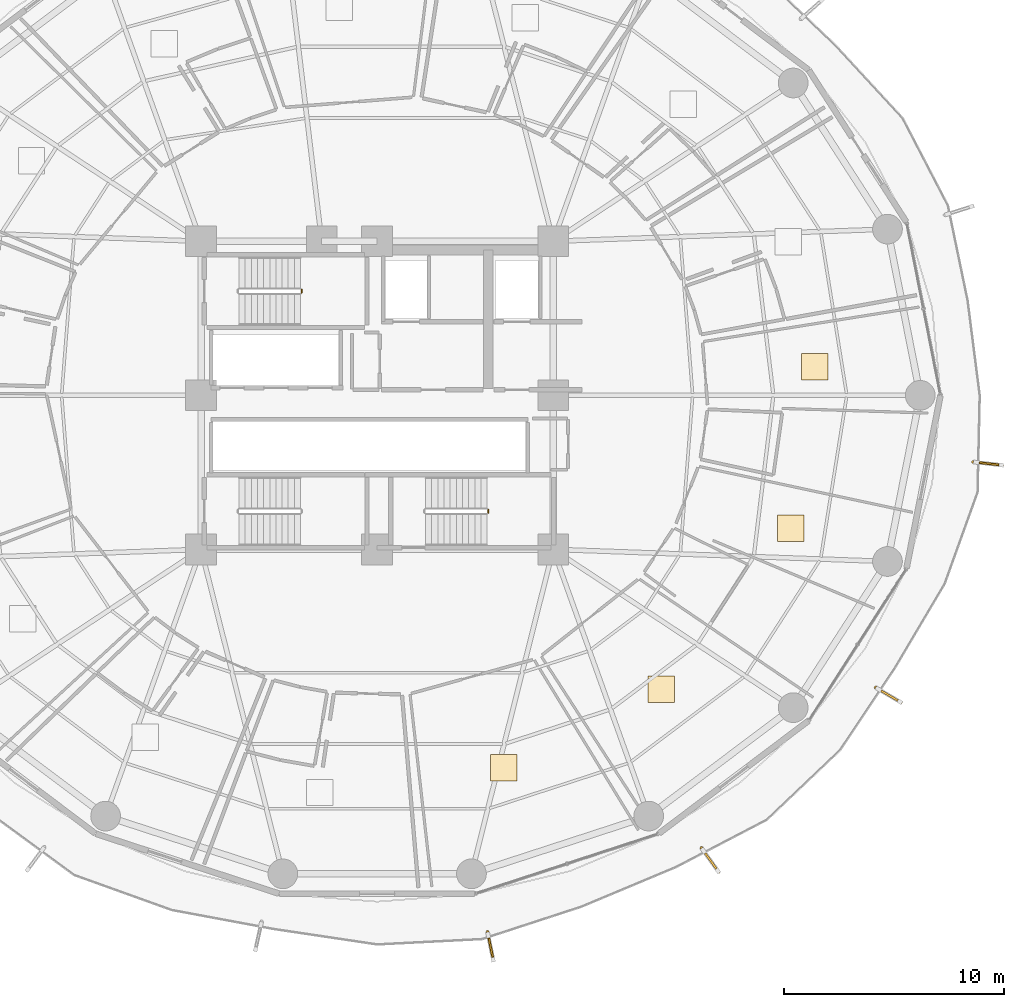
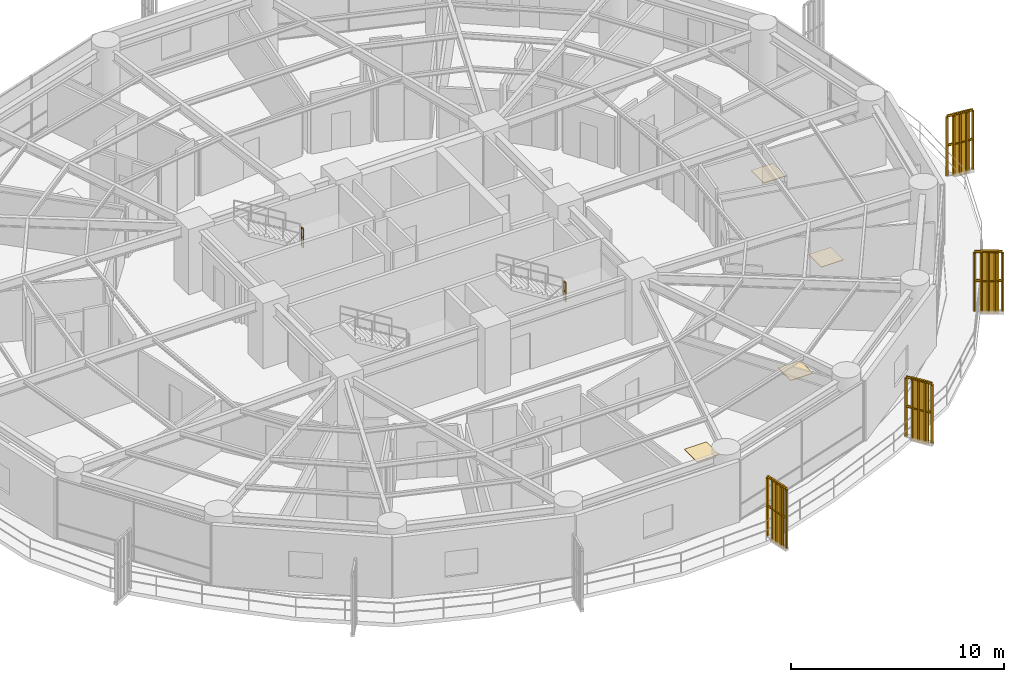
# One storey, part 32 of 33: 6 railings, 4 coverings, 4 shading devices.
"""IFC4 building model written with IfcOpenShell, lengths in metres."""

from ifc_helpers import new_model, si_unit, direction, frame, origin, origin_2d, place, context, subcontext, project, spatial, polyline, rectangle, outline, extrude, source, transform, mapped, material, layer, layer_set, type_object, element, save


model = new_model("IFC4")

# Units and contexts
model_context = context("Model", 3, precision=1e-05, world=origin(), true_north=direction((0.0, 1.0)))
body_context = subcontext(model_context, "Body", "Model", "MODEL_VIEW")
ifc_project = project(units=[si_unit("LENGTHUNIT", "METRE"), si_unit("AREAUNIT", "SQUARE_METRE"), si_unit("VOLUMEUNIT", "CUBIC_METRE"), si_unit("PLANEANGLEUNIT", "RADIAN"), si_unit("MASSUNIT", "GRAM", prefix="KILO")], contexts=[model_context])

# Site, building, storey
site_placement = place(None, origin())
site = spatial("IfcSite", under=ifc_project, at=site_placement, CompositionType="ELEMENT")
building_placement = place(site_placement, origin())
building = spatial("IfcBuilding", under=site, at=building_placement, Name="Kelanora Arch Commons", CompositionType="ELEMENT")
storey_placement = place(building_placement, frame((0.0, 0.0, 83.85009765625)))
storey = spatial("IfcBuildingStorey", under=building, at=storey_placement, Name="L21", CompositionType="ELEMENT", Elevation=83.85009765625)

# Railings
ifc_material_1 = material(Name="Anodised bronze vertical shading fin rib assembly")
railing_type_1 = type_object("IfcRailingType", Name="RAIL-FIN-BRZ", PredefinedType="BALUSTRADE", material=ifc_material_1)
railing_1_placement = place(storey_placement, frame((79.016357421875, 33.60498046875, -0.02001953125)))
element("IfcRailing", 1, at=railing_1_placement, inside=storey, type_object=railing_type_1, Name="Sweeping Bronze Vertical Fin Blade L21-10", PredefinedType="BALUSTRADE", context=body_context, shape_type="SweptSolid", body=[
    extrude(outline(polyline([(0.06982421875, 0.0), (0.034912109375, 0.060546875), (-0.034912109375, 0.060546875), (-0.06982421875, 0.0), (-0.034912109375, -0.060546875), (0.034912109375, -0.060546875), (0.06982421875, 0.0)])), frame((0.0, 0.0, 3.419921875), z_axis=(0.20143931884, -0.979500995827, 0.0), x_axis=(0.979500995827, 0.20143931884, 0.0)), (0.0, 0.0, 1.0), 1.322265625),
    extrude(outline(polyline([(0.06982421875, 0.0), (0.034912109375, 0.060546875), (-0.034912109375, 0.060546875), (-0.06982421875, 0.0), (-0.034912109375, -0.060546875), (0.034912109375, -0.060546875), (0.06982421875, 0.0)])), frame((0.0, 0.0, 1.7451171875), z_axis=(0.20143931884, -0.979500995827, 0.0), x_axis=(0.979500995827, 0.20143931884, 0.0)), (0.0, 0.0, 1.0), 1.322265625),
    extrude(outline(polyline([(0.080078125, 0.0), (0.0400390625, 0.0693359375), (-0.0400390625, 0.0693359375), (-0.080078125, 0.0), (-0.0400390625, -0.0693359375), (0.0400390625, -0.0693359375), (0.080078125, 0.0)])), origin(), (0.0, 0.0, 1.0), 3.35009765625),
    extrude(outline(polyline([(0.080078125, 0.0), (0.0400390625, 0.0693359375), (-0.0400390625, 0.0693359375), (-0.080078125, 0.0), (-0.0400390625, -0.0693359375), (0.0400390625, -0.0693359375), (0.080078125, 0.0)])), frame((0.066650390625, -0.32373046875, 0.0)), (0.0, 0.0, 1.0), 3.35009765625),
    extrude(outline(polyline([(0.080078125, 0.0), (0.0400390625, 0.0693359375), (-0.0400390625, 0.0693359375), (-0.080078125, 0.0), (-0.0400390625, -0.0693359375), (0.0400390625, -0.0693359375), (0.080078125, 0.0)])), frame((0.13330078125, -0.6474609375, 0.0)), (0.0, 0.0, 1.0), 3.35009765625),
    extrude(outline(polyline([(0.080078125, 0.0), (0.0400390625, 0.0693359375), (-0.0400390625, 0.0693359375), (-0.080078125, 0.0), (-0.0400390625, -0.0693359375), (0.0400390625, -0.0693359375), (0.080078125, 0.0)])), frame((0.19970703125, -0.971435546875, 0.0)), (0.0, 0.0, 1.0), 3.35009765625),
    extrude(outline(polyline([(0.080078125, 0.0), (0.0400390625, 0.0693359375), (-0.0400390625, 0.0693359375), (-0.080078125, 0.0), (-0.0400390625, -0.0693359375), (0.0400390625, -0.0693359375), (0.080078125, 0.0)])), frame((0.266357421875, -1.295166015625, 0.0)), (0.0, 0.0, 1.0), 3.35009765625),
])
railing_2_placement = place(storey_placement, frame((88.74462890625, 37.419921875, -0.02001953125)))
element("IfcRailing", 2, at=railing_2_placement, inside=storey, type_object=railing_type_1, Name="Sweeping Bronze Vertical Fin Blade L21-11", PredefinedType="BALUSTRADE", context=body_context, shape_type="SweptSolid", body=[
    extrude(outline(polyline([(0.06982421875, 0.0), (0.034912109375, 0.060546875), (-0.034912109375, 0.060546875), (-0.06982421875, 0.0), (-0.034912109375, -0.060546875), (0.034912109375, -0.060546875), (0.06982421875, 0.0)])), frame((0.0, 0.0, 3.419921875), z_axis=(0.58254740497, -0.812796727948, 0.0), x_axis=(0.812796727948, 0.58254740497, 0.0)), (0.0, 0.0, 1.0), 1.322265625),
    extrude(outline(polyline([(0.06982421875, 0.0), (0.034912109375, 0.060546875), (-0.034912109375, 0.060546875), (-0.06982421875, 0.0), (-0.034912109375, -0.060546875), (0.034912109375, -0.060546875), (0.06982421875, 0.0)])), frame((0.0, 0.0, 1.7451171875), z_axis=(0.58254740497, -0.812796727948, 0.0), x_axis=(0.812796727948, 0.58254740497, 0.0)), (0.0, 0.0, 1.0), 1.322265625),
    extrude(outline(polyline([(0.080078125, 0.0), (0.0400390625, 0.0693359375), (-0.0400390625, 0.0693359375), (-0.080078125, 0.0), (-0.0400390625, -0.0693359375), (0.0400390625, -0.0693359375), (0.080078125, 0.0)])), origin(), (0.0, 0.0, 1.0), 3.35009765625),
    extrude(outline(polyline([(0.080078125, 0.0), (0.0400390625, 0.0693359375), (-0.0400390625, 0.0693359375), (-0.080078125, 0.0), (-0.0400390625, -0.0693359375), (0.0400390625, -0.0693359375), (0.080078125, 0.0)])), frame((0.192626953125, -0.2685546875, 0.0)), (0.0, 0.0, 1.0), 3.35009765625),
    extrude(outline(polyline([(0.080078125, 0.0), (0.0400390625, 0.0693359375), (-0.0400390625, 0.0693359375), (-0.080078125, 0.0), (-0.0400390625, -0.0693359375), (0.0400390625, -0.0693359375), (0.080078125, 0.0)])), frame((0.38525390625, -0.537353515625, 0.0)), (0.0, 0.0, 1.0), 3.35009765625),
    extrude(outline(polyline([(0.080078125, 0.0), (0.0400390625, 0.0693359375), (-0.0400390625, 0.0693359375), (-0.080078125, 0.0), (-0.0400390625, -0.0693359375), (0.0400390625, -0.0693359375), (0.080078125, 0.0)])), frame((0.57763671875, -0.80615234375, 0.0)), (0.0, 0.0, 1.0), 3.35009765625),
    extrude(outline(polyline([(0.080078125, 0.0), (0.0400390625, 0.0693359375), (-0.0400390625, 0.0693359375), (-0.080078125, 0.0), (-0.0400390625, -0.0693359375), (0.0400390625, -0.0693359375), (0.080078125, 0.0)])), frame((0.770263671875, -1.07470703125, 0.0)), (0.0, 0.0, 1.0), 3.35009765625),
])
railing_3_placement = place(storey_placement, frame((96.66015625, 44.716064453125, -0.02001953125)))
element("IfcRailing", 3, at=railing_3_placement, inside=storey, type_object=railing_type_1, Name="Sweeping Bronze Vertical Fin Blade L21-12", PredefinedType="BALUSTRADE", context=body_context, shape_type="SweptSolid", body=[
    extrude(outline(polyline([(0.06982421875, 0.0), (0.034912109375, 0.060546875), (-0.034912109375, 0.060546875), (-0.06982421875, 0.0), (-0.034912109375, -0.060546875), (0.034912109375, -0.060546875), (0.06982421875, 0.0)])), frame((0.0, 0.0, 3.419921875), z_axis=(0.862678524159, -0.505752670734, 0.0), x_axis=(0.505752670734, 0.862678524159, 0.0)), (0.0, 0.0, 1.0), 1.322265625),
    extrude(outline(polyline([(0.06982421875, 0.0), (0.034912109375, 0.060546875), (-0.034912109375, 0.060546875), (-0.06982421875, 0.0), (-0.034912109375, -0.060546875), (0.034912109375, -0.060546875), (0.06982421875, 0.0)])), frame((0.0, 0.0, 1.7451171875), z_axis=(0.862678524159, -0.505752670734, 0.0), x_axis=(0.505752670734, 0.862678524159, 0.0)), (0.0, 0.0, 1.0), 1.322265625),
    extrude(outline(polyline([(0.080078125, 0.0), (0.0400390625, 0.0693359375), (-0.0400390625, 0.0693359375), (-0.080078125, 0.0), (-0.0400390625, -0.0693359375), (0.0400390625, -0.0693359375), (0.080078125, 0.0)])), origin(), (0.0, 0.0, 1.0), 3.35009765625),
    extrude(outline(polyline([(0.080078125, 0.0), (0.0400390625, 0.0693359375), (-0.0400390625, 0.0693359375), (-0.080078125, 0.0), (-0.0400390625, -0.0693359375), (0.0400390625, -0.0693359375), (0.080078125, 0.0)])), frame((0.28515625, -0.167236328125, 0.0)), (0.0, 0.0, 1.0), 3.35009765625),
    extrude(outline(polyline([(0.080078125, 0.0), (0.0400390625, 0.0693359375), (-0.0400390625, 0.0693359375), (-0.080078125, 0.0), (-0.0400390625, -0.0693359375), (0.0400390625, -0.0693359375), (0.080078125, 0.0)])), frame((0.5703125, -0.33447265625, 0.0)), (0.0, 0.0, 1.0), 3.35009765625),
    extrude(outline(polyline([(0.080078125, 0.0), (0.0400390625, 0.0693359375), (-0.0400390625, 0.0693359375), (-0.080078125, 0.0), (-0.0400390625, -0.0693359375), (0.0400390625, -0.0693359375), (0.080078125, 0.0)])), frame((0.85546875, -0.50146484375, 0.0)), (0.0, 0.0, 1.0), 3.35009765625),
    extrude(outline(polyline([(0.080078125, 0.0), (0.0400390625, 0.0693359375), (-0.0400390625, 0.0693359375), (-0.080078125, 0.0), (-0.0400390625, -0.0693359375), (0.0400390625, -0.0693359375), (0.080078125, 0.0)])), frame((1.140625, -0.668701171875, 0.0)), (0.0, 0.0, 1.0), 3.35009765625),
])
railing_4_placement = place(storey_placement, frame((101.09228515625, 54.970703125, -0.02001953125)))
element("IfcRailing", 4, at=railing_4_placement, inside=storey, type_object=railing_type_1, Name="Sweeping Bronze Vertical Fin Blade L21-13", PredefinedType="BALUSTRADE", context=body_context, shape_type="SweptSolid", body=[
    extrude(outline(polyline([(0.06982421875, 0.0), (0.034912109375, 0.060546875), (-0.034912109375, 0.060546875), (-0.06982421875, 0.0), (-0.034912109375, -0.060546875), (0.034912109375, -0.060546875), (0.06982421875, 0.0)])), frame((0.0, 0.0, 3.419921875), z_axis=(0.993802399707, -0.111161100822, 0.0), x_axis=(0.111161100822, 0.993802399707, 0.0)), (0.0, 0.0, 1.0), 1.322265625),
    extrude(outline(polyline([(0.06982421875, 0.0), (0.034912109375, 0.060546875), (-0.034912109375, 0.060546875), (-0.06982421875, 0.0), (-0.034912109375, -0.060546875), (0.034912109375, -0.060546875), (0.06982421875, 0.0)])), frame((0.0, 0.0, 1.7451171875), z_axis=(0.993802399707, -0.111161100822, 0.0), x_axis=(0.111161100822, 0.993802399707, 0.0)), (0.0, 0.0, 1.0), 1.322265625),
    extrude(outline(polyline([(0.080078125, 0.0), (0.0400390625, 0.0693359375), (-0.0400390625, 0.0693359375), (-0.080078125, 0.0), (-0.0400390625, -0.0693359375), (0.0400390625, -0.0693359375), (0.080078125, 0.0)])), origin(), (0.0, 0.0, 1.0), 3.35009765625),
    extrude(outline(polyline([(0.080078125, 0.0), (0.0400390625, 0.0693359375), (-0.0400390625, 0.0693359375), (-0.080078125, 0.0), (-0.0400390625, -0.0693359375), (0.0400390625, -0.0693359375), (0.080078125, 0.0)])), frame((0.32861328125, -0.03662109375, 0.0)), (0.0, 0.0, 1.0), 3.35009765625),
    extrude(outline(polyline([(0.080078125, 0.0), (0.0400390625, 0.0693359375), (-0.0400390625, 0.0693359375), (-0.080078125, 0.0), (-0.0400390625, -0.0693359375), (0.0400390625, -0.0693359375), (0.080078125, 0.0)])), frame((0.656982421875, -0.073486328125, 0.0)), (0.0, 0.0, 1.0), 3.35009765625),
    extrude(outline(polyline([(0.080078125, 0.0), (0.0400390625, 0.0693359375), (-0.0400390625, 0.0693359375), (-0.080078125, 0.0), (-0.0400390625, -0.0693359375), (0.0400390625, -0.0693359375), (0.080078125, 0.0)])), frame((0.9853515625, -0.1103515625, 0.0)), (0.0, 0.0, 1.0), 3.35009765625),
    extrude(outline(polyline([(0.080078125, 0.0), (0.0400390625, 0.0693359375), (-0.0400390625, 0.0693359375), (-0.080078125, 0.0), (-0.0400390625, -0.0693359375), (0.0400390625, -0.0693359375), (0.080078125, 0.0)])), frame((1.31396484375, -0.14697265625, 0.0)), (0.0, 0.0, 1.0), 3.35009765625),
])
ifc_material_2 = material(Name="Painted steel stair well guard", Category="steel")
railing_type_2 = type_object("IfcRailingType", Name="RAIL-STAIR-GRD", PredefinedType="GUARDRAIL", material=ifc_material_2)
for number, where, name in (
    (5, (70.570068359375, 62.659912109375, 1.875), "L21 ST-T1 stair guard 2"),
    (6, (79.050048828125, 52.659912109375, 1.875), "L21 ST-T2 stair guard 2"),
):
    element("IfcRailing", number, at=place(storey_placement, frame(where)), inside=storey, type_object=railing_type_2, Name=name, PredefinedType="GUARDRAIL", context=body_context, shape_type="SweptSolid", body=[
        extrude(outline(polyline([(0.02392578125, 0.0), (0.011962890625, 0.020751953125), (-0.011962890625, 0.020751953125), (-0.02392578125, 0.0), (-0.011962890625, -0.020751953125), (0.011962890625, -0.020751953125), (0.02392578125, 0.0)])), frame((0.0, 0.0, 1.076171875), z_axis=(0.0, 1.0, 0.0), x_axis=(-1.0, 0.0, 0.0)), (0.0, 0.0, 1.0), 0.150146484375),
        extrude(outline(polyline([(0.02392578125, 0.0), (0.011962890625, 0.020751953125), (-0.011962890625, 0.020751953125), (-0.02392578125, 0.0), (-0.011962890625, -0.020751953125), (0.011962890625, -0.020751953125), (0.02392578125, 0.0)])), frame((0.0, 0.0, 0.550048828125), z_axis=(0.0, 1.0, 0.0), x_axis=(-1.0, 0.0, 0.0)), (0.0, 0.0, 1.0), 0.150146484375),
        extrude(outline(polyline([(0.02099609375, 0.0), (0.010498046875, 0.01806640625), (-0.010498046875, 0.01806640625), (-0.02099609375, 0.0), (-0.010498046875, -0.01806640625), (0.010498046875, -0.01806640625), (0.02099609375, 0.0)])), origin(), (0.0, 0.0, 1.0), 1.052001953125),
        extrude(outline(polyline([(0.02099609375, 0.0), (0.010498046875, 0.01806640625), (-0.010498046875, 0.01806640625), (-0.02099609375, 0.0), (-0.010498046875, -0.01806640625), (0.010498046875, -0.01806640625), (0.02099609375, 0.0)])), frame((0.0, 0.150146484375, 0.0)), (0.0, 0.0, 1.0), 1.052001953125),
    ])

# Shading devices
ifc_material_3 = material(Name="Terracotta ceramic-clad extruded aluminium fin", Category="masonry")
shading_device_type = type_object("IfcShadingDeviceType", Name="SHD-FIN-FLARE", PredefinedType="USERDEFINED", material=ifc_material_3)
shared_shape_1 = source(origin(), body_context, "Body", "SweptSolid", [
    extrude(rectangle(XDim=0.8798828125, YDim=0.090087890625, at=origin_2d()), origin(), (0.0, 0.0, 1.0), 3.610107421875),
])
for number, where, z_axis, x_axis, name in (
    (7, (79.16162109375, 32.89990234375, -0.14013671875), (0.0, 0.0, 1.0), (0.201419845156, -0.979505000486, 0.0), "Sweeping Terracotta Fin L21-10"),
    (8, (89.1640625, 36.834716796875, -0.14013671875), (0.0, 0.0, 1.0), (0.582406760395, -0.812897512265, 0.0), "Sweeping Terracotta Fin L21-11"),
    (9, (97.28125, 44.351806640625, -0.14013671875), (0.0, 0.0, 1.0), (0.862690255763, -0.505732659231, 0.0), "Sweeping Terracotta Fin L21-12"),
    (10, (101.8076171875, 54.890625, -0.14013671875), (0.0, 0.0, 1.0), (0.993806768614, -0.111122034978, 0.0), "Sweeping Terracotta Fin L21-13"),
):
    element("IfcShadingDevice", number, at=place(storey_placement, frame(where, z_axis=z_axis, x_axis=x_axis)), inside=storey, type_object=shading_device_type, Name=name, ObjectType="FIN", PredefinedType="USERDEFINED", context=body_context, shape_type="MappedRepresentation", body=[
        mapped(shared_shape_1, transform((0.0, 0.0, 0.0), scale=1.0)),
    ])

# Coverings
ifc_material_4 = material(Name="Polished local granite terrazzo flooring", Category="masonry")
ifc_layer = layer(ifc_material_4, 0.030029296875)
ifc_layer_set = layer_set([ifc_layer], Name="Polished local granite terrazzo flooring")
covering_type = type_object("IfcCoveringType", Name="COV-FLR-TER", PredefinedType="FLOORING", material=ifc_layer_set)
shared_shape_2 = source(origin(), body_context, "Body", "SweptSolid", [
    extrude(rectangle(XDim=1.199951171875, YDim=1.199951171875, at=origin_2d()), origin(), (0.0, 0.0, 1.0), 0.030029296875),
])
for number, where, z_axis, x_axis, name in (
    (11, (79.75, 41.068603515625, 0.0), (0.0, 0.0, 1.0), (1.0, 0.0, 0.0), "Quiet Seminar Study Room L21-12 Terrazzo Finish"),
    (12, (86.902099609375, 44.637939453125, 0.0), (0.0, 0.0, 1.0), (1.0, 0.0, 0.0), "Quiet Seminar Study Room L21-13 Terrazzo Finish"),
    (13, (92.788818359375, 51.968017578125, 0.0), (0.0, 0.0, 1.0), (1.0, 0.0, 0.0), "Quiet Reading Carrel L21-14 Terrazzo Finish"),
    (14, (93.886962890625, 59.290283203125, 0.0), (0.0, 0.0, 1.0), (1.0, 0.0, 0.0), "Tutorial Study Alcove L21-15 Terrazzo Finish"),
):
    element("IfcCovering", number, at=place(storey_placement, frame(where, z_axis=z_axis, x_axis=x_axis)), inside=storey, type_object=covering_type, Name=name, PredefinedType="FLOORING", context=body_context, shape_type="MappedRepresentation", body=[
        mapped(shared_shape_2, transform((0.0, 0.0, 0.0), scale=1.0)),
    ])

save(model, "model.ifc")
